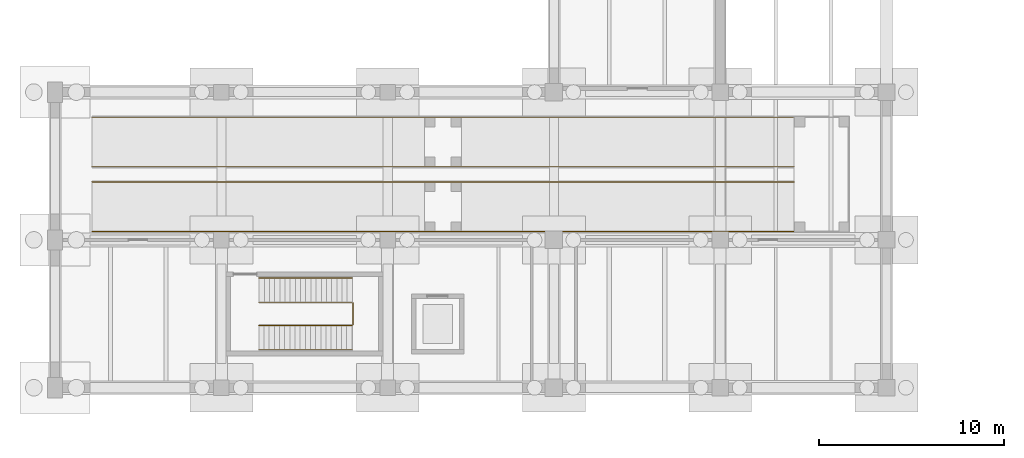
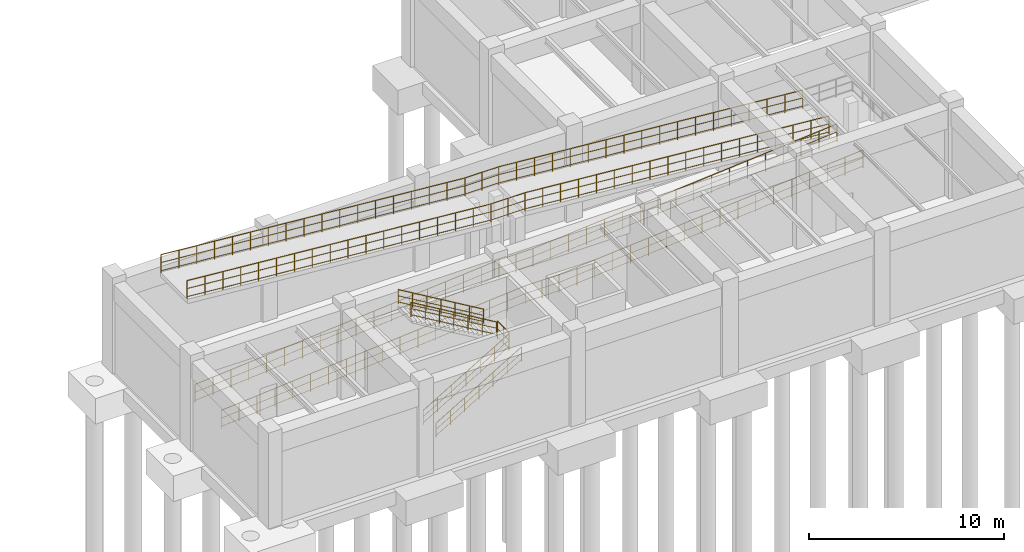
# One storey, part 15 of 20: 17 railings.
"""IFC4 building model written with IfcOpenShell, lengths in metres."""

from ifc_helpers import new_model, si_unit, derived_unit, direction, frame, origin, origin_2d, place, context, subcontext, project, spatial, circle, extrude, material, type_object, element, save


model = new_model("IFC4")

# Units and contexts
model_context = context("Model", 3, precision=1e-05, world=origin(), true_north=direction((0.0, 1.0)))
body_context = subcontext(model_context, "Body", "Model", "MODEL_VIEW")
ifc_project = project(units=[si_unit("LENGTHUNIT", "METRE"), si_unit("AREAUNIT", "SQUARE_METRE"), si_unit("VOLUMEUNIT", "CUBIC_METRE"), si_unit("PLANEANGLEUNIT", "RADIAN"), si_unit("MASSUNIT", "GRAM", prefix="KILO"), derived_unit("THERMALTRANSMITTANCEUNIT", [(si_unit("MASSUNIT", "GRAM", prefix="KILO"), 1), (si_unit("TIMEUNIT", "SECOND"), -3), (si_unit("THERMODYNAMICTEMPERATUREUNIT", "KELVIN"), -1)])], contexts=[model_context])

# Site, building, storey
site_placement = place(None, origin())
site = spatial("IfcSite", under=ifc_project, at=site_placement, CompositionType="ELEMENT")
building_placement = place(site_placement, origin())
building = spatial("IfcBuilding", under=site, at=building_placement, Name="Zhenchuan Archway Interchange", CompositionType="ELEMENT")
storey_placement = place(building_placement, frame((0.0, 0.0, -6.0)))
storey = spatial("IfcBuildingStorey", under=building, at=storey_placement, Name="B1", CompositionType="ELEMENT", Elevation=-6.0)

# Railings
ifc_material_1 = material(Name="Painted Galvanised Steel", Category="steel")
railing_type_1 = type_object("IfcRailingType", Name="RL_GUARD_1150", PredefinedType="GUARDRAIL", material=ifc_material_1)
railing_1_placement = place(storey_placement, frame((16.125, 3.4150390625, 3.0)))
element("IfcRailing", 1, at=railing_1_placement, inside=storey, type_object=railing_type_1, Name="Stair ST-C1 half-landing slot guard (B1)", PredefinedType="GUARDRAIL", context=body_context, shape_type="SweptSolid", body=[
    extrude(circle(Radius=0.02392578125, at=origin_2d()), frame((0.0, 0.0, 1.1259765625), z_axis=(0.0, 1.0, 0.0), x_axis=(-1.0, 0.0, 0.0)), (0.0, 0.0, 1.0), 1.169921875),
    extrude(circle(Radius=0.01611328125, at=origin_2d()), frame((0.0, 0.0, 0.63232421875), z_axis=(0.0, 1.0, 0.0), x_axis=(-1.0, 0.0, 0.0)), (0.0, 0.0, 1.0), 1.169921875),
    extrude(circle(Radius=0.01611328125, at=origin_2d()), frame((0.0, 0.0, 0.1201171875), z_axis=(0.0, 1.0, 0.0), x_axis=(-1.0, 0.0, 0.0)), (0.0, 0.0, 1.0), 1.169921875),
    extrude(circle(Radius=0.02099609375, at=origin_2d()), origin(), (0.0, 0.0, 1.0), 1.1259765625),
    extrude(circle(Radius=0.02099609375, at=origin_2d()), frame((0.0, 0.5849609375, 0.0)), (0.0, 0.0, 1.0), 1.1259765625),
    extrude(circle(Radius=0.02099609375, at=origin_2d()), frame((0.0, 1.169921875, 0.0)), (0.0, 0.0, 1.0), 1.1259765625),
])
railing_2_placement = place(storey_placement, frame((2.0, 8.4599609375, 0.0)))
element("IfcRailing", 2, at=railing_2_placement, inside=storey, type_object=railing_type_1, Name="RMP-C1 flight 1 guard 1", PredefinedType="GUARDRAIL", context=body_context, shape_type="SweptSolid", body=[
    extrude(circle(Radius=0.02392578125, at=origin_2d()), frame((0.0, 0.0, 1.1259765625), z_axis=(0.996545758245, 0.0, 0.083045479854), x_axis=(0.0, 1.0, 0.0)), (0.0, 0.0, 1.0), 18.0625),
    extrude(circle(Radius=0.01611328125, at=origin_2d()), frame((0.0, 0.0, 0.63232421875), z_axis=(0.996545758245, 0.0, 0.083045479854), x_axis=(0.0, 1.0, 0.0)), (0.0, 0.0, 1.0), 18.0625),
    extrude(circle(Radius=0.01611328125, at=origin_2d()), frame((0.0, 0.0, 0.1201171875), z_axis=(0.996545758245, 0.0, 0.083045479854), x_axis=(0.0, 1.0, 0.0)), (0.0, 0.0, 1.0), 18.0625),
    extrude(circle(Radius=0.02099609375, at=origin_2d()), origin(), (0.0, 0.0, 1.0), 1.1259765625),
    extrude(circle(Radius=0.02099609375, at=origin_2d()), frame((1.058837890625, 0.0, 0.088134765625)), (0.0, 0.0, 1.0), 1.1259765625),
    extrude(circle(Radius=0.02099609375, at=origin_2d()), frame((2.11767578125, 0.0, 0.176513671875)), (0.0, 0.0, 1.0), 1.1259765625),
    extrude(circle(Radius=0.02099609375, at=origin_2d()), frame((3.176513671875, 0.0, 0.2646484375)), (0.0, 0.0, 1.0), 1.1259765625),
    extrude(circle(Radius=0.02099609375, at=origin_2d()), frame((4.2353515625, 0.0, 0.35302734375)), (0.0, 0.0, 1.0), 1.1259765625),
    extrude(circle(Radius=0.02099609375, at=origin_2d()), frame((5.294189453125, 0.0, 0.441162109375)), (0.0, 0.0, 1.0), 1.1259765625),
    extrude(circle(Radius=0.02099609375, at=origin_2d()), frame((6.35302734375, 0.0, 0.529296875)), (0.0, 0.0, 1.0), 1.1259765625),
    extrude(circle(Radius=0.02099609375, at=origin_2d()), frame((7.411865234375, 0.0, 0.61767578125)), (0.0, 0.0, 1.0), 1.1259765625),
    extrude(circle(Radius=0.02099609375, at=origin_2d()), frame((8.470703125, 0.0, 0.705810546875)), (0.0, 0.0, 1.0), 1.1259765625),
    extrude(circle(Radius=0.02099609375, at=origin_2d()), frame((9.529296875, 0.0, 0.794189453125)), (0.0, 0.0, 1.0), 1.1259765625),
    extrude(circle(Radius=0.02099609375, at=origin_2d()), frame((10.588134765625, 0.0, 0.88232421875)), (0.0, 0.0, 1.0), 1.1259765625),
    extrude(circle(Radius=0.02099609375, at=origin_2d()), frame((11.64697265625, 0.0, 0.970703125)), (0.0, 0.0, 1.0), 1.1259765625),
    extrude(circle(Radius=0.02099609375, at=origin_2d()), frame((12.705810546875, 0.0, 1.058837890625)), (0.0, 0.0, 1.0), 1.1259765625),
    extrude(circle(Radius=0.02099609375, at=origin_2d()), frame((13.7646484375, 0.0, 1.14697265625)), (0.0, 0.0, 1.0), 1.1259765625),
    extrude(circle(Radius=0.02099609375, at=origin_2d()), frame((14.823486328125, 0.0, 1.2353515625)), (0.0, 0.0, 1.0), 1.1259765625),
    extrude(circle(Radius=0.02099609375, at=origin_2d()), frame((15.88232421875, 0.0, 1.323486328125)), (0.0, 0.0, 1.0), 1.1259765625),
    extrude(circle(Radius=0.02099609375, at=origin_2d()), frame((16.941162109375, 0.0, 1.411865234375)), (0.0, 0.0, 1.0), 1.1259765625),
    extrude(circle(Radius=0.02099609375, at=origin_2d()), frame((18.0, 0.0, 1.5)), (0.0, 0.0, 1.0), 1.1259765625),
])
railing_3_placement = place(storey_placement, frame((2.0, 11.139892578125, 0.0)))
element("IfcRailing", 3, at=railing_3_placement, inside=storey, type_object=railing_type_1, Name="RMP-C1 flight 1 guard 2", PredefinedType="GUARDRAIL", context=body_context, shape_type="SweptSolid", body=[
    extrude(circle(Radius=0.02392578125, at=origin_2d()), frame((0.0, 0.0, 1.1259765625), z_axis=(0.996545758245, 0.0, 0.083045479854), x_axis=(0.0, 1.0, 0.0)), (0.0, 0.0, 1.0), 18.0625),
    extrude(circle(Radius=0.01611328125, at=origin_2d()), frame((0.0, 0.0, 0.63232421875), z_axis=(0.996545758245, 0.0, 0.083045479854), x_axis=(0.0, 1.0, 0.0)), (0.0, 0.0, 1.0), 18.0625),
    extrude(circle(Radius=0.01611328125, at=origin_2d()), frame((0.0, 0.0, 0.1201171875), z_axis=(0.996545758245, 0.0, 0.083045479854), x_axis=(0.0, 1.0, 0.0)), (0.0, 0.0, 1.0), 18.0625),
    extrude(circle(Radius=0.02099609375, at=origin_2d()), origin(), (0.0, 0.0, 1.0), 1.1259765625),
    extrude(circle(Radius=0.02099609375, at=origin_2d()), frame((1.058837890625, 0.0, 0.088134765625)), (0.0, 0.0, 1.0), 1.1259765625),
    extrude(circle(Radius=0.02099609375, at=origin_2d()), frame((2.11767578125, 0.0, 0.176513671875)), (0.0, 0.0, 1.0), 1.1259765625),
    extrude(circle(Radius=0.02099609375, at=origin_2d()), frame((3.176513671875, 0.0, 0.2646484375)), (0.0, 0.0, 1.0), 1.1259765625),
    extrude(circle(Radius=0.02099609375, at=origin_2d()), frame((4.2353515625, 0.0, 0.35302734375)), (0.0, 0.0, 1.0), 1.1259765625),
    extrude(circle(Radius=0.02099609375, at=origin_2d()), frame((5.294189453125, 0.0, 0.441162109375)), (0.0, 0.0, 1.0), 1.1259765625),
    extrude(circle(Radius=0.02099609375, at=origin_2d()), frame((6.35302734375, 0.0, 0.529296875)), (0.0, 0.0, 1.0), 1.1259765625),
    extrude(circle(Radius=0.02099609375, at=origin_2d()), frame((7.411865234375, 0.0, 0.61767578125)), (0.0, 0.0, 1.0), 1.1259765625),
    extrude(circle(Radius=0.02099609375, at=origin_2d()), frame((8.470703125, 0.0, 0.705810546875)), (0.0, 0.0, 1.0), 1.1259765625),
    extrude(circle(Radius=0.02099609375, at=origin_2d()), frame((9.529296875, 0.0, 0.794189453125)), (0.0, 0.0, 1.0), 1.1259765625),
    extrude(circle(Radius=0.02099609375, at=origin_2d()), frame((10.588134765625, 0.0, 0.88232421875)), (0.0, 0.0, 1.0), 1.1259765625),
    extrude(circle(Radius=0.02099609375, at=origin_2d()), frame((11.64697265625, 0.0, 0.970703125)), (0.0, 0.0, 1.0), 1.1259765625),
    extrude(circle(Radius=0.02099609375, at=origin_2d()), frame((12.705810546875, 0.0, 1.058837890625)), (0.0, 0.0, 1.0), 1.1259765625),
    extrude(circle(Radius=0.02099609375, at=origin_2d()), frame((13.7646484375, 0.0, 1.14697265625)), (0.0, 0.0, 1.0), 1.1259765625),
    extrude(circle(Radius=0.02099609375, at=origin_2d()), frame((14.823486328125, 0.0, 1.2353515625)), (0.0, 0.0, 1.0), 1.1259765625),
    extrude(circle(Radius=0.02099609375, at=origin_2d()), frame((15.88232421875, 0.0, 1.323486328125)), (0.0, 0.0, 1.0), 1.1259765625),
    extrude(circle(Radius=0.02099609375, at=origin_2d()), frame((16.941162109375, 0.0, 1.411865234375)), (0.0, 0.0, 1.0), 1.1259765625),
    extrude(circle(Radius=0.02099609375, at=origin_2d()), frame((18.0, 0.0, 1.5)), (0.0, 0.0, 1.0), 1.1259765625),
])
railing_4_placement = place(storey_placement, frame((22.0, 8.4599609375, 1.5)))
element("IfcRailing", 4, at=railing_4_placement, inside=storey, type_object=railing_type_1, Name="RMP-C1 flight 2 guard 1", PredefinedType="GUARDRAIL", context=body_context, shape_type="SweptSolid", body=[
    extrude(circle(Radius=0.02392578125, at=origin_2d()), frame((0.0, 0.0, 1.1259765625), z_axis=(0.996545758245, 0.0, 0.083045479854), x_axis=(0.0, 1.0, 0.0)), (0.0, 0.0, 1.0), 18.0625),
    extrude(circle(Radius=0.01611328125, at=origin_2d()), frame((0.0, 0.0, 0.63232421875), z_axis=(0.996545758245, 0.0, 0.083045479854), x_axis=(0.0, 1.0, 0.0)), (0.0, 0.0, 1.0), 18.0625),
    extrude(circle(Radius=0.01611328125, at=origin_2d()), frame((0.0, 0.0, 0.1201171875), z_axis=(0.996545758245, 0.0, 0.083045479854), x_axis=(0.0, 1.0, 0.0)), (0.0, 0.0, 1.0), 18.0625),
    extrude(circle(Radius=0.02099609375, at=origin_2d()), origin(), (0.0, 0.0, 1.0), 1.1259765625),
    extrude(circle(Radius=0.02099609375, at=origin_2d()), frame((1.058837890625, 0.0, 0.088134765625)), (0.0, 0.0, 1.0), 1.1259765625),
    extrude(circle(Radius=0.02099609375, at=origin_2d()), frame((2.11767578125, 0.0, 0.176513671875)), (0.0, 0.0, 1.0), 1.1259765625),
    extrude(circle(Radius=0.02099609375, at=origin_2d()), frame((3.176513671875, 0.0, 0.2646484375)), (0.0, 0.0, 1.0), 1.1259765625),
    extrude(circle(Radius=0.02099609375, at=origin_2d()), frame((4.2353515625, 0.0, 0.35302734375)), (0.0, 0.0, 1.0), 1.1259765625),
    extrude(circle(Radius=0.02099609375, at=origin_2d()), frame((5.294189453125, 0.0, 0.441162109375)), (0.0, 0.0, 1.0), 1.1259765625),
    extrude(circle(Radius=0.02099609375, at=origin_2d()), frame((6.35302734375, 0.0, 0.529296875)), (0.0, 0.0, 1.0), 1.1259765625),
    extrude(circle(Radius=0.02099609375, at=origin_2d()), frame((7.411865234375, 0.0, 0.61767578125)), (0.0, 0.0, 1.0), 1.1259765625),
    extrude(circle(Radius=0.02099609375, at=origin_2d()), frame((8.470703125, 0.0, 0.705810546875)), (0.0, 0.0, 1.0), 1.1259765625),
    extrude(circle(Radius=0.02099609375, at=origin_2d()), frame((9.529296875, 0.0, 0.794189453125)), (0.0, 0.0, 1.0), 1.1259765625),
    extrude(circle(Radius=0.02099609375, at=origin_2d()), frame((10.588134765625, 0.0, 0.88232421875)), (0.0, 0.0, 1.0), 1.1259765625),
    extrude(circle(Radius=0.02099609375, at=origin_2d()), frame((11.64697265625, 0.0, 0.970703125)), (0.0, 0.0, 1.0), 1.1259765625),
    extrude(circle(Radius=0.02099609375, at=origin_2d()), frame((12.705810546875, 0.0, 1.058837890625)), (0.0, 0.0, 1.0), 1.1259765625),
    extrude(circle(Radius=0.02099609375, at=origin_2d()), frame((13.7646484375, 0.0, 1.14697265625)), (0.0, 0.0, 1.0), 1.1259765625),
    extrude(circle(Radius=0.02099609375, at=origin_2d()), frame((14.823486328125, 0.0, 1.2353515625)), (0.0, 0.0, 1.0), 1.1259765625),
    extrude(circle(Radius=0.02099609375, at=origin_2d()), frame((15.88232421875, 0.0, 1.323486328125)), (0.0, 0.0, 1.0), 1.1259765625),
    extrude(circle(Radius=0.02099609375, at=origin_2d()), frame((16.941162109375, 0.0, 1.411865234375)), (0.0, 0.0, 1.0), 1.1259765625),
    extrude(circle(Radius=0.02099609375, at=origin_2d()), frame((18.0, 0.0, 1.5)), (0.0, 0.0, 1.0), 1.1259765625),
])
railing_5_placement = place(storey_placement, frame((22.0, 11.139892578125, 1.5)))
element("IfcRailing", 5, at=railing_5_placement, inside=storey, type_object=railing_type_1, Name="RMP-C1 flight 2 guard 2", PredefinedType="GUARDRAIL", context=body_context, shape_type="SweptSolid", body=[
    extrude(circle(Radius=0.02392578125, at=origin_2d()), frame((0.0, 0.0, 1.1259765625), z_axis=(0.996545758245, 0.0, 0.083045479854), x_axis=(0.0, 1.0, 0.0)), (0.0, 0.0, 1.0), 18.0625),
    extrude(circle(Radius=0.01611328125, at=origin_2d()), frame((0.0, 0.0, 0.63232421875), z_axis=(0.996545758245, 0.0, 0.083045479854), x_axis=(0.0, 1.0, 0.0)), (0.0, 0.0, 1.0), 18.0625),
    extrude(circle(Radius=0.01611328125, at=origin_2d()), frame((0.0, 0.0, 0.1201171875), z_axis=(0.996545758245, 0.0, 0.083045479854), x_axis=(0.0, 1.0, 0.0)), (0.0, 0.0, 1.0), 18.0625),
    extrude(circle(Radius=0.02099609375, at=origin_2d()), origin(), (0.0, 0.0, 1.0), 1.1259765625),
    extrude(circle(Radius=0.02099609375, at=origin_2d()), frame((1.058837890625, 0.0, 0.088134765625)), (0.0, 0.0, 1.0), 1.1259765625),
    extrude(circle(Radius=0.02099609375, at=origin_2d()), frame((2.11767578125, 0.0, 0.176513671875)), (0.0, 0.0, 1.0), 1.1259765625),
    extrude(circle(Radius=0.02099609375, at=origin_2d()), frame((3.176513671875, 0.0, 0.2646484375)), (0.0, 0.0, 1.0), 1.1259765625),
    extrude(circle(Radius=0.02099609375, at=origin_2d()), frame((4.2353515625, 0.0, 0.35302734375)), (0.0, 0.0, 1.0), 1.1259765625),
    extrude(circle(Radius=0.02099609375, at=origin_2d()), frame((5.294189453125, 0.0, 0.441162109375)), (0.0, 0.0, 1.0), 1.1259765625),
    extrude(circle(Radius=0.02099609375, at=origin_2d()), frame((6.35302734375, 0.0, 0.529296875)), (0.0, 0.0, 1.0), 1.1259765625),
    extrude(circle(Radius=0.02099609375, at=origin_2d()), frame((7.411865234375, 0.0, 0.61767578125)), (0.0, 0.0, 1.0), 1.1259765625),
    extrude(circle(Radius=0.02099609375, at=origin_2d()), frame((8.470703125, 0.0, 0.705810546875)), (0.0, 0.0, 1.0), 1.1259765625),
    extrude(circle(Radius=0.02099609375, at=origin_2d()), frame((9.529296875, 0.0, 0.794189453125)), (0.0, 0.0, 1.0), 1.1259765625),
    extrude(circle(Radius=0.02099609375, at=origin_2d()), frame((10.588134765625, 0.0, 0.88232421875)), (0.0, 0.0, 1.0), 1.1259765625),
    extrude(circle(Radius=0.02099609375, at=origin_2d()), frame((11.64697265625, 0.0, 0.970703125)), (0.0, 0.0, 1.0), 1.1259765625),
    extrude(circle(Radius=0.02099609375, at=origin_2d()), frame((12.705810546875, 0.0, 1.058837890625)), (0.0, 0.0, 1.0), 1.1259765625),
    extrude(circle(Radius=0.02099609375, at=origin_2d()), frame((13.7646484375, 0.0, 1.14697265625)), (0.0, 0.0, 1.0), 1.1259765625),
    extrude(circle(Radius=0.02099609375, at=origin_2d()), frame((14.823486328125, 0.0, 1.2353515625)), (0.0, 0.0, 1.0), 1.1259765625),
    extrude(circle(Radius=0.02099609375, at=origin_2d()), frame((15.88232421875, 0.0, 1.323486328125)), (0.0, 0.0, 1.0), 1.1259765625),
    extrude(circle(Radius=0.02099609375, at=origin_2d()), frame((16.941162109375, 0.0, 1.411865234375)), (0.0, 0.0, 1.0), 1.1259765625),
    extrude(circle(Radius=0.02099609375, at=origin_2d()), frame((18.0, 0.0, 1.5)), (0.0, 0.0, 1.0), 1.1259765625),
])
railing_6_placement = place(storey_placement, frame((40.0, 11.9599609375, 3.0)))
element("IfcRailing", 6, at=railing_6_placement, inside=storey, type_object=railing_type_1, Name="RMP-C1 flight 3 guard 1", PredefinedType="GUARDRAIL", context=body_context, shape_type="SweptSolid", body=[
    extrude(circle(Radius=0.02392578125, at=origin_2d()), frame((0.0, 0.0, 1.1259765625), z_axis=(-0.996545758245, 0.0, 0.083045479854), x_axis=(0.0, -1.0, 0.0)), (0.0, 0.0, 1.0), 18.0625),
    extrude(circle(Radius=0.01611328125, at=origin_2d()), frame((0.0, 0.0, 0.63232421875), z_axis=(-0.996545758245, 0.0, 0.083045479854), x_axis=(0.0, -1.0, 0.0)), (0.0, 0.0, 1.0), 18.0625),
    extrude(circle(Radius=0.01611328125, at=origin_2d()), frame((0.0, 0.0, 0.1201171875), z_axis=(-0.996545758245, 0.0, 0.083045479854), x_axis=(0.0, -1.0, 0.0)), (0.0, 0.0, 1.0), 18.0625),
    extrude(circle(Radius=0.02099609375, at=origin_2d()), origin(), (0.0, 0.0, 1.0), 1.1259765625),
    extrude(circle(Radius=0.02099609375, at=origin_2d()), frame((-1.058837890625, 0.0, 0.088134765625)), (0.0, 0.0, 1.0), 1.1259765625),
    extrude(circle(Radius=0.02099609375, at=origin_2d()), frame((-2.11767578125, 0.0, 0.176513671875)), (0.0, 0.0, 1.0), 1.1259765625),
    extrude(circle(Radius=0.02099609375, at=origin_2d()), frame((-3.176513671875, 0.0, 0.2646484375)), (0.0, 0.0, 1.0), 1.1259765625),
    extrude(circle(Radius=0.02099609375, at=origin_2d()), frame((-4.2353515625, 0.0, 0.35302734375)), (0.0, 0.0, 1.0), 1.1259765625),
    extrude(circle(Radius=0.02099609375, at=origin_2d()), frame((-5.294189453125, 0.0, 0.441162109375)), (0.0, 0.0, 1.0), 1.1259765625),
    extrude(circle(Radius=0.02099609375, at=origin_2d()), frame((-6.35302734375, 0.0, 0.529296875)), (0.0, 0.0, 1.0), 1.1259765625),
    extrude(circle(Radius=0.02099609375, at=origin_2d()), frame((-7.411865234375, 0.0, 0.61767578125)), (0.0, 0.0, 1.0), 1.1259765625),
    extrude(circle(Radius=0.02099609375, at=origin_2d()), frame((-8.470703125, 0.0, 0.705810546875)), (0.0, 0.0, 1.0), 1.1259765625),
    extrude(circle(Radius=0.02099609375, at=origin_2d()), frame((-9.529296875, 0.0, 0.794189453125)), (0.0, 0.0, 1.0), 1.1259765625),
    extrude(circle(Radius=0.02099609375, at=origin_2d()), frame((-10.588134765625, 0.0, 0.88232421875)), (0.0, 0.0, 1.0), 1.1259765625),
    extrude(circle(Radius=0.02099609375, at=origin_2d()), frame((-11.64697265625, 0.0, 0.970703125)), (0.0, 0.0, 1.0), 1.1259765625),
    extrude(circle(Radius=0.02099609375, at=origin_2d()), frame((-12.705810546875, 0.0, 1.058837890625)), (0.0, 0.0, 1.0), 1.1259765625),
    extrude(circle(Radius=0.02099609375, at=origin_2d()), frame((-13.7646484375, 0.0, 1.14697265625)), (0.0, 0.0, 1.0), 1.1259765625),
    extrude(circle(Radius=0.02099609375, at=origin_2d()), frame((-14.823486328125, 0.0, 1.2353515625)), (0.0, 0.0, 1.0), 1.1259765625),
    extrude(circle(Radius=0.02099609375, at=origin_2d()), frame((-15.88232421875, 0.0, 1.323486328125)), (0.0, 0.0, 1.0), 1.1259765625),
    extrude(circle(Radius=0.02099609375, at=origin_2d()), frame((-16.941162109375, 0.0, 1.411865234375)), (0.0, 0.0, 1.0), 1.1259765625),
    extrude(circle(Radius=0.02099609375, at=origin_2d()), frame((-18.0, 0.0, 1.5)), (0.0, 0.0, 1.0), 1.1259765625),
])
railing_7_placement = place(storey_placement, frame((40.0, 14.639892578125, 3.0)))
element("IfcRailing", 7, at=railing_7_placement, inside=storey, type_object=railing_type_1, Name="RMP-C1 flight 3 guard 2", PredefinedType="GUARDRAIL", context=body_context, shape_type="SweptSolid", body=[
    extrude(circle(Radius=0.02392578125, at=origin_2d()), frame((0.0, 0.0, 1.1259765625), z_axis=(-0.996545758245, 0.0, 0.083045479854), x_axis=(0.0, -1.0, 0.0)), (0.0, 0.0, 1.0), 18.0625),
    extrude(circle(Radius=0.01611328125, at=origin_2d()), frame((0.0, 0.0, 0.63232421875), z_axis=(-0.996545758245, 0.0, 0.083045479854), x_axis=(0.0, -1.0, 0.0)), (0.0, 0.0, 1.0), 18.0625),
    extrude(circle(Radius=0.01611328125, at=origin_2d()), frame((0.0, 0.0, 0.1201171875), z_axis=(-0.996545758245, 0.0, 0.083045479854), x_axis=(0.0, -1.0, 0.0)), (0.0, 0.0, 1.0), 18.0625),
    extrude(circle(Radius=0.02099609375, at=origin_2d()), origin(), (0.0, 0.0, 1.0), 1.1259765625),
    extrude(circle(Radius=0.02099609375, at=origin_2d()), frame((-1.058837890625, 0.0, 0.088134765625)), (0.0, 0.0, 1.0), 1.1259765625),
    extrude(circle(Radius=0.02099609375, at=origin_2d()), frame((-2.11767578125, 0.0, 0.176513671875)), (0.0, 0.0, 1.0), 1.1259765625),
    extrude(circle(Radius=0.02099609375, at=origin_2d()), frame((-3.176513671875, 0.0, 0.2646484375)), (0.0, 0.0, 1.0), 1.1259765625),
    extrude(circle(Radius=0.02099609375, at=origin_2d()), frame((-4.2353515625, 0.0, 0.35302734375)), (0.0, 0.0, 1.0), 1.1259765625),
    extrude(circle(Radius=0.02099609375, at=origin_2d()), frame((-5.294189453125, 0.0, 0.441162109375)), (0.0, 0.0, 1.0), 1.1259765625),
    extrude(circle(Radius=0.02099609375, at=origin_2d()), frame((-6.35302734375, 0.0, 0.529296875)), (0.0, 0.0, 1.0), 1.1259765625),
    extrude(circle(Radius=0.02099609375, at=origin_2d()), frame((-7.411865234375, 0.0, 0.61767578125)), (0.0, 0.0, 1.0), 1.1259765625),
    extrude(circle(Radius=0.02099609375, at=origin_2d()), frame((-8.470703125, 0.0, 0.705810546875)), (0.0, 0.0, 1.0), 1.1259765625),
    extrude(circle(Radius=0.02099609375, at=origin_2d()), frame((-9.529296875, 0.0, 0.794189453125)), (0.0, 0.0, 1.0), 1.1259765625),
    extrude(circle(Radius=0.02099609375, at=origin_2d()), frame((-10.588134765625, 0.0, 0.88232421875)), (0.0, 0.0, 1.0), 1.1259765625),
    extrude(circle(Radius=0.02099609375, at=origin_2d()), frame((-11.64697265625, 0.0, 0.970703125)), (0.0, 0.0, 1.0), 1.1259765625),
    extrude(circle(Radius=0.02099609375, at=origin_2d()), frame((-12.705810546875, 0.0, 1.058837890625)), (0.0, 0.0, 1.0), 1.1259765625),
    extrude(circle(Radius=0.02099609375, at=origin_2d()), frame((-13.7646484375, 0.0, 1.14697265625)), (0.0, 0.0, 1.0), 1.1259765625),
    extrude(circle(Radius=0.02099609375, at=origin_2d()), frame((-14.823486328125, 0.0, 1.2353515625)), (0.0, 0.0, 1.0), 1.1259765625),
    extrude(circle(Radius=0.02099609375, at=origin_2d()), frame((-15.88232421875, 0.0, 1.323486328125)), (0.0, 0.0, 1.0), 1.1259765625),
    extrude(circle(Radius=0.02099609375, at=origin_2d()), frame((-16.941162109375, 0.0, 1.411865234375)), (0.0, 0.0, 1.0), 1.1259765625),
    extrude(circle(Radius=0.02099609375, at=origin_2d()), frame((-18.0, 0.0, 1.5)), (0.0, 0.0, 1.0), 1.1259765625),
])
railing_8_placement = place(storey_placement, frame((20.0, 11.9599609375, 4.5)))
element("IfcRailing", 8, at=railing_8_placement, inside=storey, type_object=railing_type_1, Name="RMP-C1 flight 4 guard 1", PredefinedType="GUARDRAIL", context=body_context, shape_type="SweptSolid", body=[
    extrude(circle(Radius=0.02392578125, at=origin_2d()), frame((0.0, 0.0, 1.1259765625), z_axis=(-0.996545758245, 0.0, 0.083045479854), x_axis=(0.0, -1.0, 0.0)), (0.0, 0.0, 1.0), 18.0625),
    extrude(circle(Radius=0.01611328125, at=origin_2d()), frame((0.0, 0.0, 0.63232421875), z_axis=(-0.996545758245, 0.0, 0.083045479854), x_axis=(0.0, -1.0, 0.0)), (0.0, 0.0, 1.0), 18.0625),
    extrude(circle(Radius=0.01611328125, at=origin_2d()), frame((0.0, 0.0, 0.1201171875), z_axis=(-0.996545758245, 0.0, 0.083045479854), x_axis=(0.0, -1.0, 0.0)), (0.0, 0.0, 1.0), 18.0625),
    extrude(circle(Radius=0.02099609375, at=origin_2d()), origin(), (0.0, 0.0, 1.0), 1.1259765625),
    extrude(circle(Radius=0.02099609375, at=origin_2d()), frame((-1.058837890625, 0.0, 0.088134765625)), (0.0, 0.0, 1.0), 1.1259765625),
    extrude(circle(Radius=0.02099609375, at=origin_2d()), frame((-2.11767578125, 0.0, 0.176513671875)), (0.0, 0.0, 1.0), 1.1259765625),
    extrude(circle(Radius=0.02099609375, at=origin_2d()), frame((-3.176513671875, 0.0, 0.2646484375)), (0.0, 0.0, 1.0), 1.1259765625),
    extrude(circle(Radius=0.02099609375, at=origin_2d()), frame((-4.2353515625, 0.0, 0.35302734375)), (0.0, 0.0, 1.0), 1.1259765625),
    extrude(circle(Radius=0.02099609375, at=origin_2d()), frame((-5.294189453125, 0.0, 0.441162109375)), (0.0, 0.0, 1.0), 1.1259765625),
    extrude(circle(Radius=0.02099609375, at=origin_2d()), frame((-6.35302734375, 0.0, 0.529296875)), (0.0, 0.0, 1.0), 1.1259765625),
    extrude(circle(Radius=0.02099609375, at=origin_2d()), frame((-7.411865234375, 0.0, 0.61767578125)), (0.0, 0.0, 1.0), 1.1259765625),
    extrude(circle(Radius=0.02099609375, at=origin_2d()), frame((-8.470703125, 0.0, 0.705810546875)), (0.0, 0.0, 1.0), 1.1259765625),
    extrude(circle(Radius=0.02099609375, at=origin_2d()), frame((-9.529296875, 0.0, 0.794189453125)), (0.0, 0.0, 1.0), 1.1259765625),
    extrude(circle(Radius=0.02099609375, at=origin_2d()), frame((-10.588134765625, 0.0, 0.88232421875)), (0.0, 0.0, 1.0), 1.1259765625),
    extrude(circle(Radius=0.02099609375, at=origin_2d()), frame((-11.64697265625, 0.0, 0.970703125)), (0.0, 0.0, 1.0), 1.1259765625),
    extrude(circle(Radius=0.02099609375, at=origin_2d()), frame((-12.705810546875, 0.0, 1.058837890625)), (0.0, 0.0, 1.0), 1.1259765625),
    extrude(circle(Radius=0.02099609375, at=origin_2d()), frame((-13.7646484375, 0.0, 1.14697265625)), (0.0, 0.0, 1.0), 1.1259765625),
    extrude(circle(Radius=0.02099609375, at=origin_2d()), frame((-14.823486328125, 0.0, 1.2353515625)), (0.0, 0.0, 1.0), 1.1259765625),
    extrude(circle(Radius=0.02099609375, at=origin_2d()), frame((-15.88232421875, 0.0, 1.323486328125)), (0.0, 0.0, 1.0), 1.1259765625),
    extrude(circle(Radius=0.02099609375, at=origin_2d()), frame((-16.941162109375, 0.0, 1.411865234375)), (0.0, 0.0, 1.0), 1.1259765625),
    extrude(circle(Radius=0.02099609375, at=origin_2d()), frame((-18.0, 0.0, 1.5)), (0.0, 0.0, 1.0), 1.1259765625),
])
railing_9_placement = place(storey_placement, frame((20.0, 14.639892578125, 4.5)))
element("IfcRailing", 9, at=railing_9_placement, inside=storey, type_object=railing_type_1, Name="RMP-C1 flight 4 guard 2", PredefinedType="GUARDRAIL", context=body_context, shape_type="SweptSolid", body=[
    extrude(circle(Radius=0.02392578125, at=origin_2d()), frame((0.0, 0.0, 1.1259765625), z_axis=(-0.996545758245, 0.0, 0.083045479854), x_axis=(0.0, -1.0, 0.0)), (0.0, 0.0, 1.0), 18.0625),
    extrude(circle(Radius=0.01611328125, at=origin_2d()), frame((0.0, 0.0, 0.63232421875), z_axis=(-0.996545758245, 0.0, 0.083045479854), x_axis=(0.0, -1.0, 0.0)), (0.0, 0.0, 1.0), 18.0625),
    extrude(circle(Radius=0.01611328125, at=origin_2d()), frame((0.0, 0.0, 0.1201171875), z_axis=(-0.996545758245, 0.0, 0.083045479854), x_axis=(0.0, -1.0, 0.0)), (0.0, 0.0, 1.0), 18.0625),
    extrude(circle(Radius=0.02099609375, at=origin_2d()), origin(), (0.0, 0.0, 1.0), 1.1259765625),
    extrude(circle(Radius=0.02099609375, at=origin_2d()), frame((-1.058837890625, 0.0, 0.088134765625)), (0.0, 0.0, 1.0), 1.1259765625),
    extrude(circle(Radius=0.02099609375, at=origin_2d()), frame((-2.11767578125, 0.0, 0.176513671875)), (0.0, 0.0, 1.0), 1.1259765625),
    extrude(circle(Radius=0.02099609375, at=origin_2d()), frame((-3.176513671875, 0.0, 0.2646484375)), (0.0, 0.0, 1.0), 1.1259765625),
    extrude(circle(Radius=0.02099609375, at=origin_2d()), frame((-4.2353515625, 0.0, 0.35302734375)), (0.0, 0.0, 1.0), 1.1259765625),
    extrude(circle(Radius=0.02099609375, at=origin_2d()), frame((-5.294189453125, 0.0, 0.441162109375)), (0.0, 0.0, 1.0), 1.1259765625),
    extrude(circle(Radius=0.02099609375, at=origin_2d()), frame((-6.35302734375, 0.0, 0.529296875)), (0.0, 0.0, 1.0), 1.1259765625),
    extrude(circle(Radius=0.02099609375, at=origin_2d()), frame((-7.411865234375, 0.0, 0.61767578125)), (0.0, 0.0, 1.0), 1.1259765625),
    extrude(circle(Radius=0.02099609375, at=origin_2d()), frame((-8.470703125, 0.0, 0.705810546875)), (0.0, 0.0, 1.0), 1.1259765625),
    extrude(circle(Radius=0.02099609375, at=origin_2d()), frame((-9.529296875, 0.0, 0.794189453125)), (0.0, 0.0, 1.0), 1.1259765625),
    extrude(circle(Radius=0.02099609375, at=origin_2d()), frame((-10.588134765625, 0.0, 0.88232421875)), (0.0, 0.0, 1.0), 1.1259765625),
    extrude(circle(Radius=0.02099609375, at=origin_2d()), frame((-11.64697265625, 0.0, 0.970703125)), (0.0, 0.0, 1.0), 1.1259765625),
    extrude(circle(Radius=0.02099609375, at=origin_2d()), frame((-12.705810546875, 0.0, 1.058837890625)), (0.0, 0.0, 1.0), 1.1259765625),
    extrude(circle(Radius=0.02099609375, at=origin_2d()), frame((-13.7646484375, 0.0, 1.14697265625)), (0.0, 0.0, 1.0), 1.1259765625),
    extrude(circle(Radius=0.02099609375, at=origin_2d()), frame((-14.823486328125, 0.0, 1.2353515625)), (0.0, 0.0, 1.0), 1.1259765625),
    extrude(circle(Radius=0.02099609375, at=origin_2d()), frame((-15.88232421875, 0.0, 1.323486328125)), (0.0, 0.0, 1.0), 1.1259765625),
    extrude(circle(Radius=0.02099609375, at=origin_2d()), frame((-16.941162109375, 0.0, 1.411865234375)), (0.0, 0.0, 1.0), 1.1259765625),
    extrude(circle(Radius=0.02099609375, at=origin_2d()), frame((-18.0, 0.0, 1.5)), (0.0, 0.0, 1.0), 1.1259765625),
])
for number, where, name in (
    (10, (20.0, 8.4599609375, 1.5), "RMP-C1 landing 1 guard 1"),
    (11, (20.0, 11.139892578125, 1.5), "RMP-C1 landing 1 guard 2"),
    (12, (20.0, 11.9599609375, 4.5), "RMP-C1 landing 3 guard 1"),
    (13, (20.0, 14.639892578125, 4.5), "RMP-C1 landing 3 guard 2"),
):
    element("IfcRailing", number, at=place(storey_placement, frame(where)), inside=storey, type_object=railing_type_1, Name=name, PredefinedType="GUARDRAIL", context=body_context, shape_type="SweptSolid", body=[
        extrude(circle(Radius=0.02392578125, at=origin_2d()), frame((0.0, 0.0, 1.1259765625), z_axis=(1.0, 0.0, 0.0), x_axis=(0.0, 1.0, 0.0)), (0.0, 0.0, 1.0), 2.0),
        extrude(circle(Radius=0.01611328125, at=origin_2d()), frame((0.0, 0.0, 0.63232421875), z_axis=(1.0, 0.0, 0.0), x_axis=(0.0, 1.0, 0.0)), (0.0, 0.0, 1.0), 2.0),
        extrude(circle(Radius=0.01611328125, at=origin_2d()), frame((0.0, 0.0, 0.1201171875), z_axis=(1.0, 0.0, 0.0), x_axis=(0.0, 1.0, 0.0)), (0.0, 0.0, 1.0), 2.0),
        extrude(circle(Radius=0.02099609375, at=origin_2d()), origin(), (0.0, 0.0, 1.0), 1.1259765625),
        extrude(circle(Radius=0.02099609375, at=origin_2d()), frame((1.0, 0.0, 0.0)), (0.0, 0.0, 1.0), 1.1259765625),
        extrude(circle(Radius=0.02099609375, at=origin_2d()), frame((2.0, 0.0, 0.0)), (0.0, 0.0, 1.0), 1.1259765625),
    ])
ifc_material_2 = material(Name="Stainless Steel 304", Category="steel")
railing_type_2 = type_object("IfcRailingType", Name="RL_HAND_920", PredefinedType="HANDRAIL", material=ifc_material_2)
for number, where, name in (
    (14, (11.02490234375, 2.054931640625, 0.157958984375), "Stair ST-C1 handrail 1 (B1)"),
    (15, (11.02490234375, 3.375, 0.157958984375), "Stair ST-C1 handrail 2 (B1)"),
):
    element("IfcRailing", number, at=place(storey_placement, frame(where)), inside=storey, type_object=railing_type_2, Name=name, PredefinedType="HANDRAIL", context=body_context, shape_type="SweptSolid", body=[
        extrude(circle(Radius=0.02392578125, at=origin_2d()), frame((0.0, 0.0, 0.89599609375), z_axis=(0.860183649657, 0.0, 0.509984400607), x_axis=(0.0, 1.0, 0.0)), (0.0, 0.0, 1.0), 5.882568359375),
        extrude(circle(Radius=0.01611328125, at=origin_2d()), frame((0.0, 0.0, 0.505859375), z_axis=(0.860183649657, 0.0, 0.509984400607), x_axis=(0.0, 1.0, 0.0)), (0.0, 0.0, 1.0), 5.882568359375),
        extrude(circle(Radius=0.01611328125, at=origin_2d()), frame((0.0, 0.0, 0.1201171875), z_axis=(0.860183649657, 0.0, 0.509984400607), x_axis=(0.0, 1.0, 0.0)), (0.0, 0.0, 1.0), 5.882568359375),
        extrude(circle(Radius=0.02099609375, at=origin_2d()), origin(), (0.0, 0.0, 1.0), 0.89599609375),
        extrude(circle(Radius=0.02099609375, at=origin_2d()), frame((0.84326171875, 0.0, 0.5)), (0.0, 0.0, 1.0), 0.89599609375),
        extrude(circle(Radius=0.02099609375, at=origin_2d()), frame((1.686767578125, 0.0, 1.0)), (0.0, 0.0, 1.0), 0.89599609375),
        extrude(circle(Radius=0.02099609375, at=origin_2d()), frame((2.530029296875, 0.0, 1.5)), (0.0, 0.0, 1.0), 0.89599609375),
        extrude(circle(Radius=0.02099609375, at=origin_2d()), frame((3.373291015625, 0.0, 2.0)), (0.0, 0.0, 1.0), 0.89599609375),
        extrude(circle(Radius=0.02099609375, at=origin_2d()), frame((4.216796875, 0.0, 2.5)), (0.0, 0.0, 1.0), 0.89599609375),
        extrude(circle(Radius=0.02099609375, at=origin_2d()), frame((5.06005859375, 0.0, 3.0)), (0.0, 0.0, 1.0), 0.89599609375),
    ])
for number, where, name in (
    (16, (16.0849609375, 4.625, 3.157958984375), "Stair ST-C1 handrail 3 (B1)"),
    (17, (16.0849609375, 5.945068359375, 3.157958984375), "Stair ST-C1 handrail 4 (B1)"),
):
    element("IfcRailing", number, at=place(storey_placement, frame(where)), inside=storey, type_object=railing_type_2, Name=name, PredefinedType="HANDRAIL", context=body_context, shape_type="SweptSolid", body=[
        extrude(circle(Radius=0.02392578125, at=origin_2d()), frame((0.0, 0.0, 0.89599609375), z_axis=(-0.860183649657, 0.0, 0.509984400607), x_axis=(0.0, -1.0, 0.0)), (0.0, 0.0, 1.0), 5.882568359375),
        extrude(circle(Radius=0.01611328125, at=origin_2d()), frame((0.0, 0.0, 0.505859375), z_axis=(-0.860183649657, 0.0, 0.509984400607), x_axis=(0.0, -1.0, 0.0)), (0.0, 0.0, 1.0), 5.882568359375),
        extrude(circle(Radius=0.01611328125, at=origin_2d()), frame((0.0, 0.0, 0.1201171875), z_axis=(-0.860183649657, 0.0, 0.509984400607), x_axis=(0.0, -1.0, 0.0)), (0.0, 0.0, 1.0), 5.882568359375),
        extrude(circle(Radius=0.02099609375, at=origin_2d()), origin(), (0.0, 0.0, 1.0), 0.89599609375),
        extrude(circle(Radius=0.02099609375, at=origin_2d()), frame((-0.84326171875, 0.0, 0.5)), (0.0, 0.0, 1.0), 0.89599609375),
        extrude(circle(Radius=0.02099609375, at=origin_2d()), frame((-1.686767578125, 0.0, 1.0)), (0.0, 0.0, 1.0), 0.89599609375),
        extrude(circle(Radius=0.02099609375, at=origin_2d()), frame((-2.530029296875, 0.0, 1.5)), (0.0, 0.0, 1.0), 0.89599609375),
        extrude(circle(Radius=0.02099609375, at=origin_2d()), frame((-3.373291015625, 0.0, 2.0)), (0.0, 0.0, 1.0), 0.89599609375),
        extrude(circle(Radius=0.02099609375, at=origin_2d()), frame((-4.216796875, 0.0, 2.5)), (0.0, 0.0, 1.0), 0.89599609375),
        extrude(circle(Radius=0.02099609375, at=origin_2d()), frame((-5.06005859375, 0.0, 3.0)), (0.0, 0.0, 1.0), 0.89599609375),
    ])

save(model, "model.ifc")
